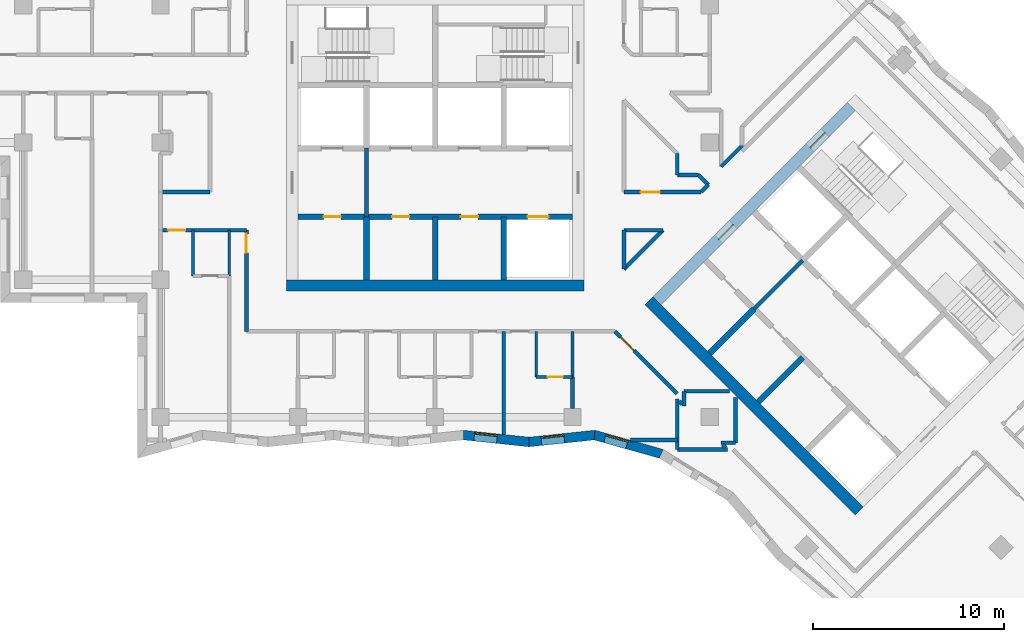
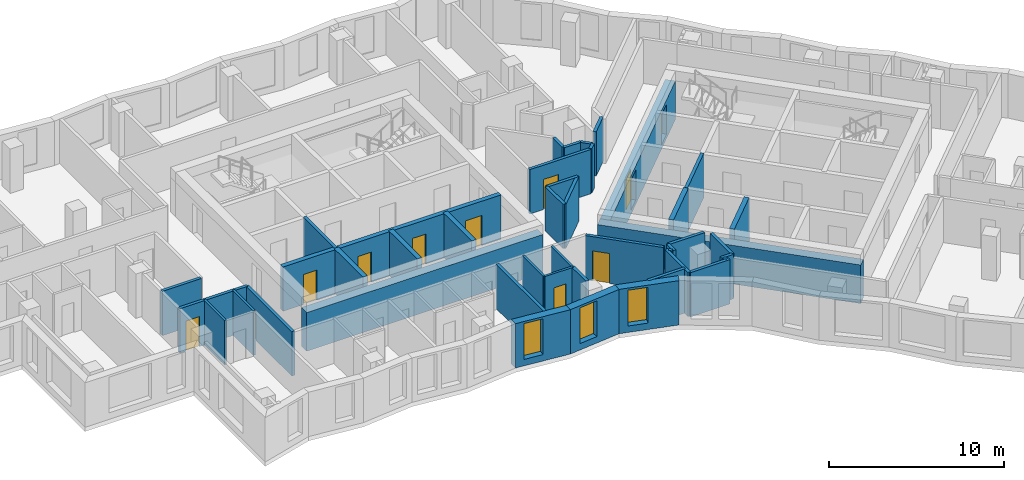
# One storey, part 3 of 12: 43 walls, 11 doors, 3 windows, 14 openings.
"""IFC4 building model written with IfcOpenShell, lengths in metres."""

from ifc_helpers import new_model, si_unit, direction, frame, frame_2d, origin, place, context, subcontext, project, spatial, polyline, rectangle, outline, extrude, material, layer, layer_set, type_object, element, fill, save


model = new_model("IFC4")

# Units and contexts
model_context = context("Model", 3, precision=1e-05, world=origin(), true_north=direction((0.0, 1.0)))
body_context = subcontext(model_context, "Body", "Model", "MODEL_VIEW")
ifc_project = project(units=[si_unit("LENGTHUNIT", "METRE"), si_unit("AREAUNIT", "SQUARE_METRE"), si_unit("VOLUMEUNIT", "CUBIC_METRE"), si_unit("PLANEANGLEUNIT", "RADIAN"), si_unit("MASSUNIT", "GRAM", prefix="KILO")], contexts=[model_context])

# Site, building, storey
site_placement = place(None, origin())
site = spatial("IfcSite", under=ifc_project, at=site_placement, CompositionType="ELEMENT")
building_placement = place(site_placement, origin())
building = spatial("IfcBuilding", under=site, at=building_placement, Name="Windrow Commons", CompositionType="ELEMENT")
storey_placement = place(building_placement, frame((0.0, 0.0, 142.2)))
storey = spatial("IfcBuildingStorey", under=building, at=storey_placement, Name="L38", CompositionType="ELEMENT", Elevation=142.2)

# Wall, opening, window
ifc_material_1 = material(Name="Brick masonry, red clay brick", Category="masonry")
ifc_layer_1 = layer(ifc_material_1, 0.5)
ifc_layer_set_1 = layer_set([ifc_layer_1], Name="Brick facade wall 500")
wall_type_1 = type_object("IfcWallType", Name="Brick facade wall 500", PredefinedType="SOLIDWALL", material=ifc_layer_set_1)
wall_1_placement = place(storey_placement, frame((66.2987, 42.2514, 0.0), z_axis=(0.0, 0.0, 1.0), x_axis=(0.9944741767, -0.1049814831, 0.0)))
wall_1 = element("IfcWall", 1, at=wall_1_placement, inside=storey, type_object=wall_type_1, Name="Brick facade wall L38 47", PredefinedType="SOLIDWALL", context=body_context, shape_type="SweptSolid", body=[
    extrude(outline(polyline([(0.0264, -0.25), (3.4651, -0.25), (3.4123, 0.25), (-0.0264, 0.25), (0.0264, -0.25)])), origin(), (0.0, 0.0, 1.0), 3.1),
])
opening_1_placement = place(wall_1_placement, frame((0.5565, 0.0, 0.45)))
opening_1 = element("IfcOpeningElement", 2, at=opening_1_placement, cuts=wall_1, Name="Opening W7E", PredefinedType="OPENING", context=body_context, shape_type="SweptSolid", body=[
    extrude(rectangle(XDim=1.2, YDim=2.5, at=frame_2d((0.6, 1.25))), frame((0.0, 0.26, 0.0), z_axis=(0.0, -1.0, 0.0), x_axis=(1.0, 0.0, 0.0)), (0.0, 0.0, 1.0), 0.52),
])
ifc_material_2 = material(Name="Clear float glass in anodised aluminium frame", Category="aluminium")
window_type = type_object("IfcWindowType", Name="Window W7 notch 1200x2500", PartitioningType="SINGLE_PANEL", PredefinedType="WINDOW", material=ifc_material_2)
window_1_placement = place(opening_1_placement, origin())
window_1 = element("IfcWindow", 3, at=window_1_placement, inside=storey, type_object=window_type, Name="Window L38 47.1", OverallHeight=2.5, OverallWidth=1.2, PartitioningType="SINGLE_PANEL", PredefinedType="WINDOW", context=body_context, shape_type="SweptSolid", body=[
    extrude(rectangle(XDim=1.2, YDim=2.5, at=frame_2d((0.6, 1.25))), frame((0.0, 0.18, 0.0), z_axis=(0.0, -1.0, 0.0), x_axis=(1.0, 0.0, 0.0)), (0.0, 0.0, 1.0), 0.06),
])
fill(opening_1, window_1)

wall_2_placement = place(storey_placement, frame((69.7184, 41.8904, 0.0), z_axis=(0.0, 0.0, 1.0), x_axis=(0.9944732608, 0.1049901591, 0.0)))
wall_2 = element("IfcWall", 4, at=wall_2_placement, inside=storey, type_object=wall_type_1, Name="Brick facade wall L38 48", PredefinedType="SOLIDWALL", context=body_context, shape_type="SweptSolid", body=[
    extrude(outline(polyline([(-0.0264, -0.25), (3.4123, -0.25), (3.5083, 0.25), (0.0264, 0.25), (-0.0264, -0.25)])), origin(), (0.0, 0.0, 1.0), 3.1),
])
opening_2_placement = place(wall_2_placement, frame((0.6603, 0.0, 0.45)))
opening_2 = element("IfcOpeningElement", 5, at=opening_2_placement, cuts=wall_2, Name="Opening W7E", PredefinedType="OPENING", context=body_context, shape_type="SweptSolid", body=[
    extrude(rectangle(XDim=1.2, YDim=2.5, at=frame_2d((0.6, 1.25))), frame((0.0, 0.26, 0.0), z_axis=(0.0, -1.0, 0.0), x_axis=(1.0, 0.0, 0.0)), (0.0, 0.0, 1.0), 0.52),
])
window_2_placement = place(opening_2_placement, origin())
window_2 = element("IfcWindow", 6, at=window_2_placement, inside=storey, type_object=window_type, Name="Window L38 48.1", OverallHeight=2.5, OverallWidth=1.2, PartitioningType="SINGLE_PANEL", PredefinedType="WINDOW", context=body_context, shape_type="SweptSolid", body=[
    extrude(rectangle(XDim=1.2, YDim=2.5, at=frame_2d((0.6, 1.25))), frame((0.0, 0.18, 0.0), z_axis=(0.0, -1.0, 0.0), x_axis=(1.0, 0.0, 0.0)), (0.0, 0.0, 1.0), 0.06),
])
fill(opening_2, window_2)

wall_3_placement = place(storey_placement, frame((73.1596, 42.2537, 0.0), z_axis=(0.0, 0.0, 1.0), x_axis=(0.9627076036, -0.2705440261, 0.0)))
wall_3 = element("IfcWall", 7, at=wall_3_placement, inside=storey, type_object=wall_type_1, Name="Brick facade wall L38 49", PredefinedType="SOLIDWALL", context=body_context, shape_type="SweptSolid", body=[
    extrude(outline(polyline([(0.048, -0.25), (3.6002, -0.25), (3.6704, 0.25), (-0.048, 0.25), (0.048, -0.25)])), origin(), (0.0, 0.0, 1.0), 3.1),
])
opening_3_placement = place(wall_3_placement, frame((0.5675, 0.0, 0.45)))
opening_3 = element("IfcOpeningElement", 8, at=opening_3_placement, cuts=wall_3, Name="Opening W7E", PredefinedType="OPENING", context=body_context, shape_type="SweptSolid", body=[
    extrude(rectangle(XDim=1.2, YDim=2.5, at=frame_2d((0.6, 1.25))), frame((0.0, 0.26, 0.0), z_axis=(0.0, -1.0, 0.0), x_axis=(1.0, 0.0, 0.0)), (0.0, 0.0, 1.0), 0.52),
])
window_3_placement = place(opening_3_placement, origin())
window_3 = element("IfcWindow", 9, at=window_3_placement, inside=storey, type_object=window_type, Name="Window L38 49.1", OverallHeight=2.5, OverallWidth=1.2, PartitioningType="SINGLE_PANEL", PredefinedType="WINDOW", context=body_context, shape_type="SweptSolid", body=[
    extrude(rectangle(XDim=1.2, YDim=2.5, at=frame_2d((0.6, 1.25))), frame((0.0, 0.18, 0.0), z_axis=(0.0, -1.0, 0.0), x_axis=(1.0, 0.0, 0.0)), (0.0, 0.0, 1.0), 0.06),
])
fill(opening_3, window_3)

# Walls
ifc_material_3 = material(Name="Blockwork partition", Category="masonry")
ifc_layer_2 = layer(ifc_material_3, 0.2)
ifc_layer_set_2 = layer_set([ifc_layer_2], Name="Fire lobby partition 200")
wall_type_2 = type_object("IfcWallType", Name="Fire lobby partition 200", PredefinedType="PARTITIONING", material=ifc_layer_set_2)
for number, where, z_axis, x_axis, name in (
    (10, (61.2, 53.7, 0.0), (0.0, 0.0, 1.0), (0.0, 1.0, 0.0), "W-core-lobby-A-L38"),
    (11, (81.5335, 48.8776, 0.0), (0.0, 0.0, 1.0), (0.707092892, 0.7071206701, 0.0), "W-core-lobby-B-L38"),
):
    element("IfcWall", number, at=place(storey_placement, frame(where, z_axis=z_axis, x_axis=x_axis)), inside=storey, type_object=wall_type_2, Name=name, PredefinedType="PARTITIONING", context=body_context, shape_type="SweptSolid", body=[
        extrude(rectangle(XDim=3.6, YDim=0.2, at=frame_2d((1.8, 0.0))), origin(), (0.0, 0.0, 1.0), 3.1),
    ])

# Wall, opening, door
ifc_material_4 = material(Name="Blockwork partition", Category="masonry")
ifc_layer_3 = layer(ifc_material_4, 0.2)
ifc_layer_set_3 = layer_set([ifc_layer_3], Name="IW-CORRIDOR-200")
wall_type_3 = type_object("IfcWallType", Name="IW-CORRIDOR-200", PredefinedType="PARTITIONING", material=ifc_layer_set_3)
wall_4_placement = place(storey_placement, frame((54.9, 47.7, 0.0), z_axis=(0.0, 0.0, 1.0), x_axis=(0.0, 1.0, 0.0)))
wall_4 = element("IfcWall", 12, at=wall_4_placement, inside=storey, type_object=wall_type_3, Name="W-L38-W030", PredefinedType="PARTITIONING", context=body_context, shape_type="SweptSolid", body=[
    extrude(rectangle(XDim=5.3, YDim=0.2, at=frame_2d((2.65, 0.0))), origin(), (0.0, 0.0, 1.0), 3.1),
])
opening_4_placement = place(wall_4_placement, frame((4.1063, 0.0, 0.0)))
opening_4 = element("IfcOpeningElement", 13, at=opening_4_placement, cuts=wall_4, Name="Opening D310F", PredefinedType="OPENING", context=body_context, shape_type="SweptSolid", body=[
    extrude(rectangle(XDim=1.0, YDim=2.1, at=frame_2d((0.5, 1.05))), frame((0.0, 0.11, 0.0), z_axis=(0.0, -1.0, 0.0), x_axis=(1.0, 0.0, 0.0)), (0.0, 0.0, 1.0), 0.22),
])
ifc_material_5 = material(Name="Timber door leaf", Category="wood")
door_type_1 = type_object("IfcDoorType", Name="DT-AMENITY-1000", OperationType="SINGLE_SWING_LEFT", PredefinedType="DOOR", material=ifc_material_5)
door_1_placement = place(opening_4_placement, origin())
door_1 = element("IfcDoor", 14, at=door_1_placement, inside=storey, type_object=door_type_1, Name="D-L38-D026", OperationType="SINGLE_SWING_RIGHT", OverallHeight=2.1, OverallWidth=1.0, PredefinedType="DOOR", context=body_context, shape_type="SweptSolid", body=[
    extrude(rectangle(XDim=1.0, YDim=2.1, at=frame_2d((0.5, 1.05))), frame((0.0, 0.025, 0.0), z_axis=(0.0, -1.0, 0.0), x_axis=(1.0, 0.0, 0.0)), (0.0, 0.0, 1.0), 0.05),
])
fill(opening_4, door_1)

wall_5_placement = place(storey_placement, frame((74.2227, 47.6967, 0.0), z_axis=(0.0, 0.0, 1.0), x_axis=(0.7071067812, -0.7071067812, 0.0)))
wall_5 = element("IfcWall", 15, at=wall_5_placement, inside=storey, type_object=wall_type_3, Name="W-L38-W038", PredefinedType="PARTITIONING", context=body_context, shape_type="SweptSolid", body=[
    extrude(rectangle(XDim=4.6301, YDim=0.2, at=frame_2d((2.315, 0.0))), origin(), (0.0, 0.0, 1.0), 3.1),
])
opening_5_placement = place(wall_5_placement, frame((0.4345, 0.0, 0.0)))
opening_5 = element("IfcOpeningElement", 16, at=opening_5_placement, cuts=wall_5, Name="Opening D310F", PredefinedType="OPENING", context=body_context, shape_type="SweptSolid", body=[
    extrude(rectangle(XDim=1.0, YDim=2.1, at=frame_2d((0.5, 1.05))), frame((0.0, 0.11, 0.0), z_axis=(0.0, -1.0, 0.0), x_axis=(1.0, 0.0, 0.0)), (0.0, 0.0, 1.0), 0.22),
])
door_2_placement = place(opening_5_placement, origin())
door_2 = element("IfcDoor", 17, at=door_2_placement, inside=storey, type_object=door_type_1, Name="D-L38-D037", OperationType="SINGLE_SWING_LEFT", OverallHeight=2.1, OverallWidth=1.0, PredefinedType="DOOR", context=body_context, shape_type="SweptSolid", body=[
    extrude(rectangle(XDim=1.0, YDim=2.1, at=frame_2d((0.5, 1.05))), frame((0.0, 0.025, 0.0), z_axis=(0.0, -1.0, 0.0), x_axis=(1.0, 0.0, 0.0)), (0.0, 0.0, 1.0), 0.05),
])
fill(opening_5, door_2)

wall_6_placement = place(storey_placement, frame((50.4, 53.0, 0.0), z_axis=(0.0, 0.0, 1.0), x_axis=(1.0, 0.0, 0.0)))
wall_6 = element("IfcWall", 18, at=wall_6_placement, inside=storey, type_object=wall_type_3, Name="W-L38-W039", PredefinedType="PARTITIONING", context=body_context, shape_type="SweptSolid", body=[
    extrude(rectangle(XDim=4.5, YDim=0.2, at=frame_2d((2.25, 0.0))), origin(), (0.0, 0.0, 1.0), 3.1),
])
opening_6_placement = place(wall_6_placement, frame((0.4, 0.0, 0.0)))
opening_6 = element("IfcOpeningElement", 19, at=opening_6_placement, cuts=wall_6, Name="Opening D109S", PredefinedType="OPENING", context=body_context, shape_type="SweptSolid", body=[
    extrude(rectangle(XDim=0.9, YDim=2.1, at=frame_2d((0.45, 1.05))), frame((0.0, 0.11, 0.0), z_axis=(0.0, -1.0, 0.0), x_axis=(1.0, 0.0, 0.0)), (0.0, 0.0, 1.0), 0.22),
])
ifc_material_6 = material(Name="Timber door leaf", Category="wood")
door_type_2 = type_object("IfcDoorType", Name="DT-BEDROOM-900", OperationType="SINGLE_SWING_LEFT", PredefinedType="DOOR", material=ifc_material_6)
door_3_placement = place(opening_6_placement, origin())
door_3 = element("IfcDoor", 20, at=door_3_placement, inside=storey, type_object=door_type_2, Name="D-L38-D024", OperationType="SINGLE_SWING_LEFT", OverallHeight=2.1, OverallWidth=0.9, PredefinedType="DOOR", context=body_context, shape_type="SweptSolid", body=[
    extrude(rectangle(XDim=0.9, YDim=2.1, at=frame_2d((0.45, 1.05))), frame((0.0, 0.025, 0.0), z_axis=(0.0, -1.0, 0.0), x_axis=(1.0, 0.0, 0.0)), (0.0, 0.0, 1.0), 0.05),
])
fill(opening_6, door_3)

wall_7_placement = place(storey_placement, frame((74.702, 55.0, 0.0), z_axis=(0.0, 0.0, 1.0), x_axis=(1.0, 0.0, 0.0)))
wall_7 = element("IfcWall", 21, at=wall_7_placement, inside=storey, type_object=wall_type_3, Name="W-L38-W043", PredefinedType="PARTITIONING", context=body_context, shape_type="SweptSolid", body=[
    extrude(rectangle(XDim=4.044, YDim=0.2, at=frame_2d((2.022, 0.0))), origin(), (0.0, 0.0, 1.0), 3.1),
])
opening_7_placement = place(wall_7_placement, frame((0.8795, 0.0, 0.0)))
opening_7 = element("IfcOpeningElement", 22, at=opening_7_placement, cuts=wall_7, Name="Opening D410F", PredefinedType="OPENING", context=body_context, shape_type="SweptSolid", body=[
    extrude(rectangle(XDim=1.0, YDim=2.1, at=frame_2d((0.5, 1.05))), frame((0.0, 0.11, 0.0), z_axis=(0.0, -1.0, 0.0), x_axis=(1.0, 0.0, 0.0)), (0.0, 0.0, 1.0), 0.22),
])
ifc_material_7 = material(Name="Timber door leaf", Category="wood")
door_type_3 = type_object("IfcDoorType", Name="DT-SERVICE-1000", OperationType="SINGLE_SWING_LEFT", PredefinedType="DOOR", material=ifc_material_7)
door_4_placement = place(opening_7_placement, origin())
door_4 = element("IfcDoor", 23, at=door_4_placement, inside=storey, type_object=door_type_3, Name="D-L38-D001", OperationType="SINGLE_SWING_LEFT", OverallHeight=2.1, OverallWidth=1.0, PredefinedType="DOOR", context=body_context, shape_type="SweptSolid", body=[
    extrude(rectangle(XDim=1.0, YDim=2.1, at=frame_2d((0.5, 1.05))), frame((0.0, 0.025, 0.0), z_axis=(0.0, -1.0, 0.0), x_axis=(1.0, 0.0, 0.0)), (0.0, 0.0, 1.0), 0.05),
])
fill(opening_7, door_4)

# Walls
wall_8_placement = place(storey_placement, frame((74.7013, 50.9567, 0.0), z_axis=(0.0, 0.0, 1.0), x_axis=(0.7071067812, 0.7071067812, 0.0)))
element("IfcWall", 24, at=wall_8_placement, inside=storey, type_object=wall_type_3, Name="W-L38-W053", PredefinedType="PARTITIONING", context=body_context, shape_type="SweptSolid", body=[
    extrude(rectangle(XDim=2.8878, YDim=0.2, at=frame_2d((1.4439, 0.0))), origin(), (0.0, 0.0, 1.0), 3.1),
])
wall_9_placement = place(storey_placement, frame((50.4, 55.0, 0.0), z_axis=(0.0, 0.0, 1.0), x_axis=(1.0, 0.0, 0.0)))
element("IfcWall", 25, at=wall_9_placement, inside=storey, type_object=wall_type_3, Name="W-L38-W059", PredefinedType="PARTITIONING", context=body_context, shape_type="SweptSolid", body=[
    extrude(rectangle(XDim=2.6, YDim=0.2, at=frame_2d((1.3, 0.0))), origin(), (0.0, 0.0, 1.0), 3.1),
])
for number, where, z_axis, x_axis, name in (
    (26, (80.55, 41.852, 0.0), (0.0, 0.0, 1.0), (0.0, 1.0, 0.0), "W-L38-W094"),
    (27, (77.852, 44.55, 0.0), (0.0, 0.0, 1.0), (1.0, 0.0, 0.0), "W-L38-W095"),
):
    element("IfcWall", number, at=place(storey_placement, frame(where, z_axis=z_axis, x_axis=x_axis)), inside=storey, type_object=wall_type_3, Name=name, PredefinedType="PARTITIONING", context=body_context, shape_type="SweptSolid", body=[
        extrude(rectangle(XDim=2.38, YDim=0.2, at=frame_2d((1.19, 0.0))), origin(), (0.0, 0.0, 1.0), 3.1),
    ])
wall_10_placement = place(storey_placement, frame((74.7, 50.956, 0.0), z_axis=(0.0, 0.0, 1.0), x_axis=(0.0, 1.0, 0.0)))
element("IfcWall", 28, at=wall_10_placement, inside=storey, type_object=wall_type_3, Name="W-L38-W107", PredefinedType="PARTITIONING", context=body_context, shape_type="SweptSolid", body=[
    extrude(rectangle(XDim=2.044, YDim=0.2, at=frame_2d((1.022, 0.0))), origin(), (0.0, 0.0, 1.0), 3.1),
])
wall_11_placement = place(storey_placement, frame((74.702, 53.0, 0.0), z_axis=(0.0, 0.0, 1.0), x_axis=(1.0, 0.0, 0.0)))
element("IfcWall", 29, at=wall_11_placement, inside=storey, type_object=wall_type_3, Name="W-L38-W108", PredefinedType="PARTITIONING", context=body_context, shape_type="SweptSolid", body=[
    extrude(rectangle(XDim=2.042, YDim=0.2, at=frame_2d((1.021, 0.0))), origin(), (0.0, 0.0, 1.0), 3.1),
])
wall_12_placement = place(storey_placement, frame((79.8009, 56.3391, 0.0), z_axis=(0.0, 0.0, 1.0), x_axis=(0.7071067812, 0.7071067812, 0.0)))
element("IfcWall", 30, at=wall_12_placement, inside=storey, type_object=wall_type_3, Name="W-L38-W142", PredefinedType="PARTITIONING", context=body_context, shape_type="SweptSolid", body=[
    extrude(rectangle(XDim=1.5528, YDim=0.2, at=frame_2d((0.7764, 0.0))), origin(), (0.0, 0.0, 1.0), 3.1),
])
wall_13_placement = place(storey_placement, frame((77.5, 55.9, 0.0), z_axis=(0.0, 0.0, 1.0), x_axis=(0.0, 1.0, 0.0)))
element("IfcWall", 31, at=wall_13_placement, inside=storey, type_object=wall_type_3, Name="W-L38-W146", PredefinedType="PARTITIONING", context=body_context, shape_type="SweptSolid", body=[
    extrude(rectangle(XDim=1.112, YDim=0.2, at=frame_2d((0.556, 0.0))), origin(), (0.0, 0.0, 1.0), 3.1),
])
wall_14_placement = place(storey_placement, frame((77.502, 55.9, 0.0), z_axis=(0.0, 0.0, 1.0), x_axis=(1.0, 0.0, 0.0)))
element("IfcWall", 32, at=wall_14_placement, inside=storey, type_object=wall_type_3, Name="W-L38-W147", PredefinedType="PARTITIONING", context=body_context, shape_type="SweptSolid", body=[
    extrude(rectangle(XDim=1.11, YDim=0.2, at=frame_2d((0.555, 0.0))), origin(), (0.0, 0.0, 1.0), 3.1),
])
for number, where, z_axis, x_axis, name in (
    (33, (77.85, 43.792, 0.0), (0.0, 0.0, 1.0), (0.0, 1.0, 0.0), "W-L38-W152"),
    (34, (79.792, 41.85, 0.0), (0.0, 0.0, 1.0), (1.0, 0.0, 0.0), "W-L38-W153"),
):
    element("IfcWall", number, at=place(storey_placement, frame(where, z_axis=z_axis, x_axis=x_axis)), inside=storey, type_object=wall_type_3, Name=name, PredefinedType="PARTITIONING", context=body_context, shape_type="SweptSolid", body=[
        extrude(rectangle(XDim=0.758, YDim=0.2, at=frame_2d((0.379, 0.0))), origin(), (0.0, 0.0, 1.0), 3.1),
    ])
wall_15_placement = place(storey_placement, frame((78.6089, 55.8969, 0.0), z_axis=(0.0, 0.0, 1.0), x_axis=(0.7071067812, -0.7071067812, 0.0)))
element("IfcWall", 35, at=wall_15_placement, inside=storey, type_object=wall_type_3, Name="W-L38-W154", PredefinedType="PARTITIONING", context=body_context, shape_type="SweptSolid", body=[
    extrude(rectangle(XDim=0.7297, YDim=0.2, at=frame_2d((0.3649, 0.0))), origin(), (0.0, 0.0, 1.0), 3.1),
])
wall_16_placement = place(storey_placement, frame((78.7453, 55.0007, 0.0), z_axis=(0.0, 0.0, 1.0), x_axis=(0.7071067812, 0.7071067812, 0.0)))
element("IfcWall", 36, at=wall_16_placement, inside=storey, type_object=wall_type_3, Name="W-L38-W168", PredefinedType="PARTITIONING", context=body_context, shape_type="SweptSolid", body=[
    extrude(rectangle(XDim=0.5402, YDim=0.2, at=frame_2d((0.2701, 0.0))), origin(), (0.0, 0.0, 1.0), 3.1),
])
for number, where, z_axis, x_axis, name in (
    (37, (79.8812, 41.7553, 0.0), (0.0, 0.0, 1.0), (0.7071067812, -0.7071067812, 0.0), "W-L38-W171"),
    (38, (77.5962, 44.0403, 0.0), (0.0, 0.0, 1.0), (0.7071067812, -0.7071067812, 0.0), "W-L38-W172"),
):
    element("IfcWall", number, at=place(storey_placement, frame(where, z_axis=z_axis, x_axis=x_axis)), inside=storey, type_object=wall_type_3, Name=name, PredefinedType="PARTITIONING", context=body_context, shape_type="SweptSolid", body=[
        extrude(rectangle(XDim=0.225, YDim=0.2, at=frame_2d((0.1125, 0.0))), origin(), (0.0, 0.0, 1.0), 3.1),
    ])
ifc_material_8 = material(Name="Blockwork partition", Category="masonry")
ifc_layer_4 = layer(ifc_material_8, 0.15)
ifc_layer_set_4 = layer_set([ifc_layer_4], Name="IW-ENSUITE-150")
wall_type_4 = type_object("IfcWallType", Name="IW-ENSUITE-150", PredefinedType="PARTITIONING", material=ifc_layer_set_4)
for number, where, z_axis, x_axis, name in (
    (39, (70.1, 45.3, 0.0), (0.0, 0.0, 1.0), (0.0, 1.0, 0.0), "W-L38-W074"),
    (40, (72.0, 45.3, 0.0), (0.0, 0.0, 1.0), (0.0, 1.0, 0.0), "W-L38-W075"),
    (41, (52.1, 50.6, 0.0), (0.0, 0.0, 1.0), (0.0, 1.0, 0.0), "W-L38-W076"),
    (42, (54.0, 50.6, 0.0), (0.0, 0.0, 1.0), (0.0, 1.0, 0.0), "W-L38-W077"),
):
    element("IfcWall", number, at=place(storey_placement, frame(where, z_axis=z_axis, x_axis=x_axis)), inside=storey, type_object=wall_type_4, Name=name, PredefinedType="PARTITIONING", context=body_context, shape_type="SweptSolid", body=[
        extrude(rectangle(XDim=2.4, YDim=0.15, at=frame_2d((1.2, 0.0))), origin(), (0.0, 0.0, 1.0), 3.1),
    ])

# Wall, opening, door
wall_17_placement = place(storey_placement, frame((70.1, 45.3, 0.0), z_axis=(0.0, 0.0, 1.0), x_axis=(1.0, 0.0, 0.0)))
wall_17 = element("IfcWall", 43, at=wall_17_placement, inside=storey, type_object=wall_type_4, Name="W-L38-W121", PredefinedType="PARTITIONING", context=body_context, shape_type="SweptSolid", body=[
    extrude(rectangle(XDim=1.9, YDim=0.15, at=frame_2d((0.95, 0.0))), origin(), (0.0, 0.0, 1.0), 3.1),
])
opening_8_placement = place(wall_17_placement, frame((0.5979, 0.0, 0.0)))
opening_8 = element("IfcOpeningElement", 44, at=opening_8_placement, cuts=wall_17, Name="Opening D208N", PredefinedType="OPENING", context=body_context, shape_type="SweptSolid", body=[
    extrude(rectangle(XDim=0.8, YDim=2.1, at=frame_2d((0.4, 1.05))), frame((0.0, 0.085, 0.0), z_axis=(0.0, -1.0, 0.0), x_axis=(1.0, 0.0, 0.0)), (0.0, 0.0, 1.0), 0.17),
])
ifc_material_9 = material(Name="Timber door leaf", Category="wood")
door_type_4 = type_object("IfcDoorType", Name="DT-ENSUITE-800", OperationType="SINGLE_SWING_LEFT", PredefinedType="DOOR", material=ifc_material_9)
door_5_placement = place(opening_8_placement, origin())
door_5 = element("IfcDoor", 45, at=door_5_placement, inside=storey, type_object=door_type_4, Name="D-L38-D036", OperationType="SINGLE_SWING_RIGHT", OverallHeight=2.1, OverallWidth=0.8, PredefinedType="DOOR", context=body_context, shape_type="SweptSolid", body=[
    extrude(rectangle(XDim=0.8, YDim=2.1, at=frame_2d((0.4, 1.05))), frame((0.0, 0.025, 0.0), z_axis=(0.0, -1.0, 0.0), x_axis=(1.0, 0.0, 0.0)), (0.0, 0.0, 1.0), 0.05),
])
fill(opening_8, door_5)

# Walls
ifc_material_10 = material(Name="Blockwork partition", Category="masonry")
ifc_layer_5 = layer(ifc_material_10, 0.2)
ifc_layer_set_5 = layer_set([ifc_layer_5], Name="IW-PARTY-200")
wall_type_5 = type_object("IfcWallType", Name="IW-PARTY-200", PredefinedType="PARTITIONING", material=ifc_layer_set_5)
wall_18_placement = place(storey_placement, frame((68.4, 42.281, 0.0), z_axis=(0.0, 0.0, 1.0), x_axis=(0.0, 1.0, 0.0)))
element("IfcWall", 46, at=wall_18_placement, inside=storey, type_object=wall_type_5, Name="W-L38-W028", PredefinedType="PARTITIONING", context=body_context, shape_type="SweptSolid", body=[
    extrude(rectangle(XDim=5.419, YDim=0.2, at=frame_2d((2.7095, 0.0))), origin(), (0.0, 0.0, 1.0), 3.1),
])
for number, where, z_axis, x_axis, name in (
    (47, (77.5, 41.502, 0.0), (0.0, 0.0, 1.0), (0.0, 1.0, 0.0), "W-L38-W057"),
    (48, (77.502, 41.5, 0.0), (0.0, 0.0, 1.0), (1.0, 0.0, 0.0), "W-L38-W058"),
):
    element("IfcWall", number, at=place(storey_placement, frame(where, z_axis=z_axis, x_axis=x_axis)), inside=storey, type_object=wall_type_5, Name=name, PredefinedType="PARTITIONING", context=body_context, shape_type="SweptSolid", body=[
        extrude(rectangle(XDim=2.64, YDim=0.2, at=frame_2d((1.32, 0.0))), origin(), (0.0, 0.0, 1.0), 3.1),
    ])
wall_19_placement = place(storey_placement, frame((75.0363, 42.0, 0.0), z_axis=(0.0, 0.0, 1.0), x_axis=(1.0, 0.0, 0.0)))
element("IfcWall", 49, at=wall_19_placement, inside=storey, type_object=wall_type_5, Name="W-L38-W061", PredefinedType="PARTITIONING", context=body_context, shape_type="SweptSolid", body=[
    extrude(rectangle(XDim=2.4637, YDim=0.2, at=frame_2d((1.2318, 0.0))), origin(), (0.0, 0.0, 1.0), 3.1),
])
wall_20_placement = place(storey_placement, frame((72.0, 43.65, 0.0), z_axis=(0.0, 0.0, 1.0), x_axis=(0.0, 1.0, 0.0)))
element("IfcWall", 50, at=wall_20_placement, inside=storey, type_object=wall_type_5, Name="W-L38-W140", PredefinedType="PARTITIONING", context=body_context, shape_type="SweptSolid", body=[
    extrude(rectangle(XDim=1.65, YDim=0.2, at=frame_2d((0.825, 0.0))), origin(), (0.0, 0.0, 1.0), 3.1),
])
ifc_material_11 = material(Name="Concrete C50/60", Category="concrete")
ifc_layer_6 = layer(ifc_material_11, 0.6)
ifc_layer_set_6 = layer_set([ifc_layer_6], Name="RC CORE WALL 600 C50/60")
wall_type_6 = type_object("IfcWallType", Name="RC CORE WALL 600 C50/60", PredefinedType="SHEAR", material=ifc_layer_set_6)
for number, where, z_axis, x_axis, name in (
    (51, (57.0, 50.1, -0.3), (0.0, 0.0, 1.0), (1.0, 0.0, 0.0), "Core A wall outer-S"),
    (52, (76.018, 49.3019, -0.3), (0.0, 0.0, 1.0), (0.7071067812, -0.7071067812, 0.0), "Core B wall outer-S"),
):
    element("IfcWall", number, at=place(storey_placement, frame(where, z_axis=z_axis, x_axis=x_axis)), inside=storey, type_object=wall_type_6, Name=name, PredefinedType="SHEAR", context=body_context, shape_type="SweptSolid", body=[
        extrude(rectangle(XDim=15.6, YDim=0.6, at=frame_2d((7.8, 0.0))), origin(), (0.0, 0.0, 1.0), 2.7),
    ])

# Wall, openings, doors
wall_21_placement = place(storey_placement, frame((76.4423, 49.3019, -0.3), z_axis=(0.0, 0.0, 1.0), x_axis=(0.7071067812, 0.7071067812, 0.0)))
wall_21 = element("IfcWall", 53, at=wall_21_placement, inside=storey, type_object=wall_type_6, Name="Core B wall outer-W", PredefinedType="SHEAR", context=body_context, shape_type="SweptSolid", body=[
    extrude(rectangle(XDim=14.3999, YDim=0.6, at=frame_2d((7.2, 0.0))), origin(), (0.0, 0.0, 1.0), 2.7),
])
opening_9_placement = place(wall_21_placement, frame((4.55, 0.0, 0.3)))
opening_9 = element("IfcOpeningElement", 54, at=opening_9_placement, cuts=wall_21, Name="Opening D6", PredefinedType="OPENING", context=body_context, shape_type="SweptSolid", body=[
    extrude(rectangle(XDim=1.1, YDim=2.1, at=frame_2d((0.55, 1.05))), frame((0.0, 0.31, 0.0), z_axis=(0.0, -1.0, 0.0), x_axis=(1.0, 0.0, 0.0)), (0.0, 0.0, 1.0), 0.62),
])
opening_10_placement = place(wall_21_placement, frame((11.35, 0.0, 0.3)))
opening_10 = element("IfcOpeningElement", 55, at=opening_10_placement, cuts=wall_21, Name="Opening D7", PredefinedType="OPENING", context=body_context, shape_type="SweptSolid", body=[
    extrude(rectangle(XDim=1.1, YDim=2.1, at=frame_2d((0.55, 1.05))), frame((0.0, 0.31, 0.0), z_axis=(0.0, -1.0, 0.0), x_axis=(1.0, 0.0, 0.0)), (0.0, 0.0, 1.0), 0.62),
])
ifc_material_12 = material(Name="Steel fire door leaf", Category="steel")
door_type_5 = type_object("IfcDoorType", Name="Core lobby door 1100", OperationType="SINGLE_SWING_LEFT", PredefinedType="DOOR", material=ifc_material_12)
door_6_placement = place(opening_9_placement, origin())
door_6 = element("IfcDoor", 56, at=door_6_placement, inside=storey, type_object=door_type_5, Name="Lift lobby door", OperationType="DOUBLE_DOOR_SINGLE_SWING", OverallHeight=2.1, OverallWidth=1.1, PredefinedType="DOOR", context=body_context, shape_type="SweptSolid", body=[
    extrude(rectangle(XDim=1.1, YDim=2.1, at=frame_2d((0.55, 1.05))), frame((0.0, 0.025, 0.0), z_axis=(0.0, -1.0, 0.0), x_axis=(1.0, 0.0, 0.0)), (0.0, 0.0, 1.0), 0.05),
])
fill(opening_9, door_6)
ifc_material_13 = material(Name="Steel fire door leaf", Category="steel")
door_type_6 = type_object("IfcDoorType", Name="Stair door 1100", OperationType="SINGLE_SWING_LEFT", PredefinedType="DOOR", material=ifc_material_13)
door_7_placement = place(opening_10_placement, origin())
door_7 = element("IfcDoor", 57, at=door_7_placement, inside=storey, type_object=door_type_6, Name="Stair door", OperationType="SINGLE_SWING_LEFT", OverallHeight=2.1, OverallWidth=1.1, PredefinedType="DOOR", context=body_context, shape_type="SweptSolid", body=[
    extrude(rectangle(XDim=1.1, YDim=2.1, at=frame_2d((0.55, 1.05))), frame((0.0, 0.025, 0.0), z_axis=(0.0, -1.0, 0.0), x_axis=(1.0, 0.0, 0.0)), (0.0, 0.0, 1.0), 0.05),
])
fill(opening_10, door_7)

# Walls
ifc_material_14 = material(Name="Concrete C50/60", Category="concrete")
ifc_layer_7 = layer(ifc_material_14, 0.3)
ifc_layer_set_7 = layer_set([ifc_layer_7], Name="RC SHAFT WALL 300 C50/60")
wall_type_7 = type_object("IfcWallType", Name="RC SHAFT WALL 300 C50/60", PredefinedType="SOLIDWALL", material=ifc_layer_set_7)
for number, where, z_axis, x_axis, name in (
    (58, (61.2, 50.4, 0.0), (0.0, 0.0, 1.0), (0.0, 1.0, 0.0), "Core A wall shaft-S1"),
    (59, (64.8, 50.4, 0.0), (0.0, 0.0, 1.0), (0.0, 1.0, 0.0), "Core A wall shaft-S2"),
    (60, (68.4, 50.4, 0.0), (0.0, 0.0, 1.0), (0.0, 1.0, 0.0), "Core A wall shaft-S3"),
):
    element("IfcWall", number, at=place(storey_placement, frame(where, z_axis=z_axis, x_axis=x_axis)), inside=storey, type_object=wall_type_7, Name=name, PredefinedType="SOLIDWALL", context=body_context, shape_type="SweptSolid", body=[
        extrude(rectangle(XDim=3.3, YDim=0.3, at=frame_2d((1.65, 0.0))), origin(), (0.0, 0.0, 1.0), 3.1),
    ])

# Wall, openings, doors
wall_22_placement = place(storey_placement, frame((57.6, 53.7, 0.0), z_axis=(0.0, 0.0, 1.0), x_axis=(1.0, 0.0, 0.0)))
wall_22 = element("IfcWall", 61, at=wall_22_placement, inside=storey, type_object=wall_type_7, Name="Core A wall lobby-S", PredefinedType="SOLIDWALL", context=body_context, shape_type="SweptSolid", body=[
    extrude(rectangle(XDim=14.4, YDim=0.3, at=frame_2d((7.2, 0.0))), origin(), (0.0, 0.0, 1.0), 3.1),
])
opening_11_placement = place(wall_22_placement, frame((1.35, 0.0, 0.0)))
opening_11 = element("IfcOpeningElement", 62, at=opening_11_placement, cuts=wall_22, Name="Opening D8", PredefinedType="OPENING", context=body_context, shape_type="SweptSolid", body=[
    extrude(rectangle(XDim=0.9, YDim=2.1, at=frame_2d((0.45, 1.05))), frame((0.0, 0.16, 0.0), z_axis=(0.0, -1.0, 0.0), x_axis=(1.0, 0.0, 0.0)), (0.0, 0.0, 1.0), 0.32),
])
opening_12_placement = place(wall_22_placement, frame((4.95, 0.0, 0.0)))
opening_12 = element("IfcOpeningElement", 63, at=opening_12_placement, cuts=wall_22, Name="Opening D8", PredefinedType="OPENING", context=body_context, shape_type="SweptSolid", body=[
    extrude(rectangle(XDim=0.9, YDim=2.1, at=frame_2d((0.45, 1.05))), frame((0.0, 0.16, 0.0), z_axis=(0.0, -1.0, 0.0), x_axis=(1.0, 0.0, 0.0)), (0.0, 0.0, 1.0), 0.32),
])
opening_13_placement = place(wall_22_placement, frame((8.55, 0.0, 0.0)))
opening_13 = element("IfcOpeningElement", 64, at=opening_13_placement, cuts=wall_22, Name="Opening D8", PredefinedType="OPENING", context=body_context, shape_type="SweptSolid", body=[
    extrude(rectangle(XDim=0.9, YDim=2.1, at=frame_2d((0.45, 1.05))), frame((0.0, 0.16, 0.0), z_axis=(0.0, -1.0, 0.0), x_axis=(1.0, 0.0, 0.0)), (0.0, 0.0, 1.0), 0.32),
])
opening_14_placement = place(wall_22_placement, frame((12.05, 0.0, 0.0)))
opening_14 = element("IfcOpeningElement", 65, at=opening_14_placement, cuts=wall_22, Name="Opening LD", PredefinedType="OPENING", context=body_context, shape_type="SweptSolid", body=[
    extrude(rectangle(XDim=1.1, YDim=2.1, at=frame_2d((0.55, 1.05))), frame((0.0, 0.16, 0.0), z_axis=(0.0, -1.0, 0.0), x_axis=(1.0, 0.0, 0.0)), (0.0, 0.0, 1.0), 0.32),
])
ifc_material_15 = material(Name="Steel fire door leaf", Category="steel")
door_type_7 = type_object("IfcDoorType", Name="Core store door 900", OperationType="SINGLE_SWING_LEFT", PredefinedType="DOOR", material=ifc_material_15)
door_8_placement = place(opening_11_placement, origin())
door_8 = element("IfcDoor", 66, at=door_8_placement, inside=storey, type_object=door_type_7, Name="Store door", OperationType="SINGLE_SWING_LEFT", OverallHeight=2.1, OverallWidth=0.9, PredefinedType="DOOR", context=body_context, shape_type="SweptSolid", body=[
    extrude(rectangle(XDim=0.9, YDim=2.1, at=frame_2d((0.45, 1.05))), frame((0.0, 0.025, 0.0), z_axis=(0.0, -1.0, 0.0), x_axis=(1.0, 0.0, 0.0)), (0.0, 0.0, 1.0), 0.05),
])
fill(opening_11, door_8)
door_9_placement = place(opening_12_placement, origin())
door_9 = element("IfcDoor", 67, at=door_9_placement, inside=storey, type_object=door_type_7, Name="Store door", OperationType="SINGLE_SWING_LEFT", OverallHeight=2.1, OverallWidth=0.9, PredefinedType="DOOR", context=body_context, shape_type="SweptSolid", body=[
    extrude(rectangle(XDim=0.9, YDim=2.1, at=frame_2d((0.45, 1.05))), frame((0.0, 0.025, 0.0), z_axis=(0.0, -1.0, 0.0), x_axis=(1.0, 0.0, 0.0)), (0.0, 0.0, 1.0), 0.05),
])
fill(opening_12, door_9)
door_10_placement = place(opening_13_placement, origin())
door_10 = element("IfcDoor", 68, at=door_10_placement, inside=storey, type_object=door_type_7, Name="Store door", OperationType="SINGLE_SWING_LEFT", OverallHeight=2.1, OverallWidth=0.9, PredefinedType="DOOR", context=body_context, shape_type="SweptSolid", body=[
    extrude(rectangle(XDim=0.9, YDim=2.1, at=frame_2d((0.45, 1.05))), frame((0.0, 0.025, 0.0), z_axis=(0.0, -1.0, 0.0), x_axis=(1.0, 0.0, 0.0)), (0.0, 0.0, 1.0), 0.05),
])
fill(opening_13, door_10)
ifc_material_16 = material(Name="Stainless steel door leaf", Category="steel")
door_type_8 = type_object("IfcDoorType", Name="Lift landing door 1100", OperationType="SLIDING_TO_LEFT", PredefinedType="DOOR", material=ifc_material_16)
door_11_placement = place(opening_14_placement, origin())
door_11 = element("IfcDoor", 69, at=door_11_placement, inside=storey, type_object=door_type_8, Name="Lift landing door", OperationType="SLIDING_TO_RIGHT", OverallHeight=2.1, OverallWidth=1.1, PredefinedType="DOOR", context=body_context, shape_type="SweptSolid", body=[
    extrude(rectangle(XDim=1.1, YDim=2.1, at=frame_2d((0.55, 1.05))), frame((0.0, 0.025, 0.0), z_axis=(0.0, -1.0, 0.0), x_axis=(1.0, 0.0, 0.0)), (0.0, 0.0, 1.0), 0.05),
])
fill(opening_14, door_11)

# Walls
wall_23_placement = place(storey_placement, frame((79.2, 46.5442, 0.0), z_axis=(0.0, 0.0, 1.0), x_axis=(0.7071219326, 0.7070916295, 0.0)))
element("IfcWall", 70, at=wall_23_placement, inside=storey, type_object=wall_type_7, Name="Core B wall shaft-S1", PredefinedType="SOLIDWALL", context=body_context, shape_type="SweptSolid", body=[
    extrude(rectangle(XDim=3.3, YDim=0.3, at=frame_2d((1.65, 0.0))), origin(), (0.0, 0.0, 1.0), 3.1),
])
wall_24_placement = place(storey_placement, frame((81.7456, 43.9986, 0.0), z_axis=(0.0, 0.0, 1.0), x_axis=(0.7071067812, 0.7071067812, 0.0)))
element("IfcWall", 71, at=wall_24_placement, inside=storey, type_object=wall_type_7, Name="Core B wall shaft-S2", PredefinedType="SOLIDWALL", context=body_context, shape_type="SweptSolid", body=[
    extrude(rectangle(XDim=3.2999, YDim=0.3, at=frame_2d((1.65, 0.0))), origin(), (0.0, 0.0, 1.0), 3.1),
])

save(model, "model.ifc")
